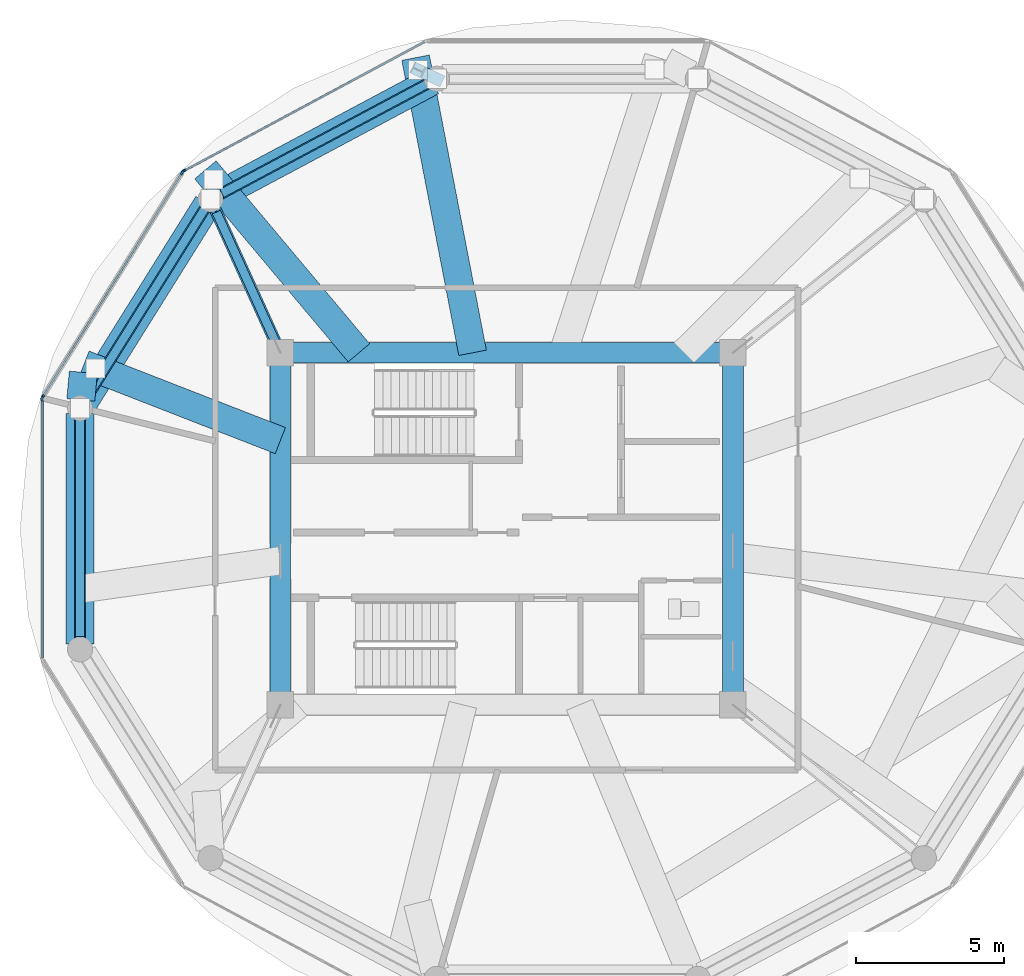
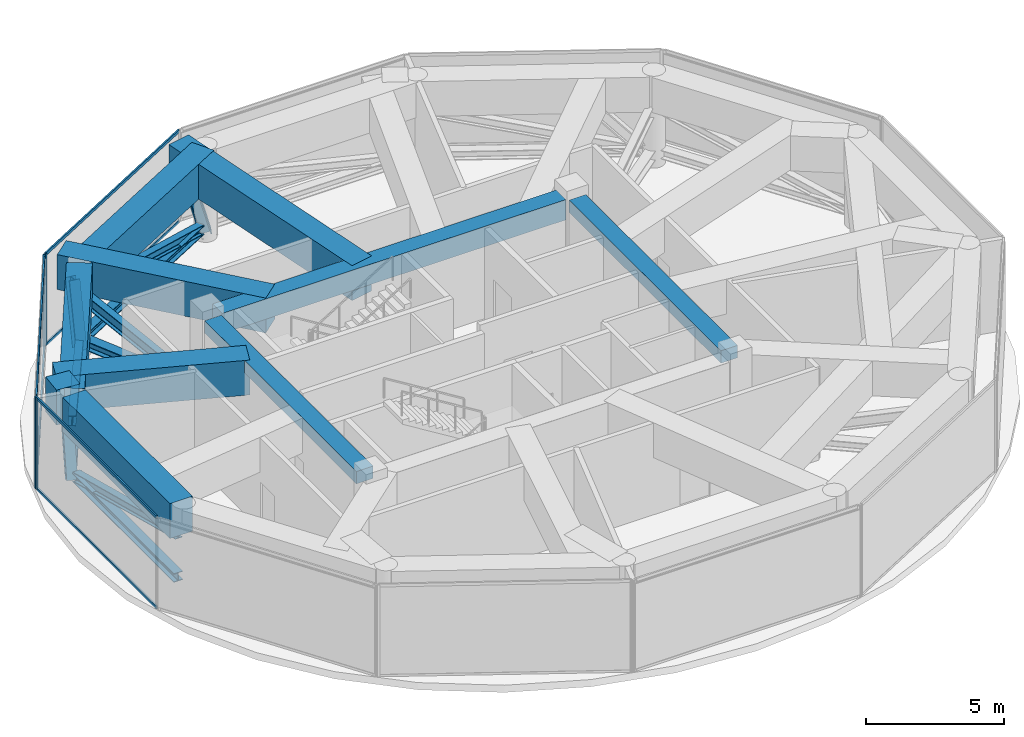
# One storey, part 4 of 23: 21 members, 10 beams, 3 elements without a shape of their own.
"""IFC4 building model written with IfcOpenShell, lengths in metres."""

from ifc_helpers import new_model, si_unit, direction, frame, origin, origin_2d, place, context, subcontext, project, spatial, rectangle, i_section, extrude, source, transform, mapped, material, layer, layer_set, material_profile, profile_set, type_object, type_shapes, element, aggregate, save


model = new_model("IFC4")

# Units and contexts
model_context = context("Model", 3, precision=1e-05, world=origin(), true_north=direction((0.0, 1.0)))
body_context = subcontext(model_context, "Body", "Model", "MODEL_VIEW")
ifc_project = project(units=[si_unit("LENGTHUNIT", "METRE"), si_unit("AREAUNIT", "SQUARE_METRE"), si_unit("VOLUMEUNIT", "CUBIC_METRE"), si_unit("PLANEANGLEUNIT", "RADIAN"), si_unit("MASSUNIT", "GRAM", prefix="KILO")], contexts=[model_context])

# Site, building, storey
site_placement = place(None, origin())
site = spatial("IfcSite", under=ifc_project, at=site_placement, CompositionType="ELEMENT")
building_placement = place(site_placement, origin())
building = spatial("IfcBuilding", under=site, at=building_placement, Name="Norrkilde Senior Care Towers", CompositionType="ELEMENT")
storey_placement = place(building_placement, frame((0.0, 0.0, 129.800048828125)))
storey = spatial("IfcBuildingStorey", under=building, at=storey_placement, Name="L40", CompositionType="ELEMENT", Elevation=129.800048828125)

# Beams
ifc_material_1 = material(Name="Concrete C60/75", Category="concrete")
ifc_material_profile_1 = material_profile(ifc_material_1, rectangle(XDim=0.699951171875, YDim=0.89990234375, at=origin_2d()), Name="RC BM 700x900")
ifc_profile_set_1 = profile_set([ifc_material_profile_1], Name="Concrete C60/75")
beam_type_1 = type_object("IfcBeamType", Name="Core Coupling Girder 700x900", PredefinedType="USERDEFINED", material=ifc_profile_set_1)
shared_shape_1 = source(origin(), body_context, "Body", "SweptSolid", [
    extrude(rectangle(XDim=0.699951171875, YDim=0.89990234375, at=origin_2d()), origin(), (0.0, 0.0, 1.0), 14.43994140625),
])
type_shapes(beam_type_1, [shared_shape_1])
beam_1_placement = place(storey_placement, frame((-35.219970703125, 5.949951171875, 3.6298828125), z_axis=(1.0, 0.0, 0.0), x_axis=(0.0, 1.0, 0.0)))
element("IfcBeam", 1, at=beam_1_placement, inside=storey, type_object=beam_type_1, Name="L40 Core W N Coupling Girder", ObjectType="GIRDER", PredefinedType="USERDEFINED", context=body_context, shape_type="MappedRepresentation", body=[
    mapped(shared_shape_1, transform((0.0, 0.0, 0.0), x_axis=(1.0, 0.0, 0.0), y_axis=(0.0, 1.0, 0.0), z_axis=(0.0, 0.0, 1.0), scale=1.0)),
])
ifc_material_profile_2 = material_profile(ifc_material_1, rectangle(XDim=0.699951171875, YDim=0.550048828125, at=origin_2d()), Name="RC BM 700x550")
ifc_profile_set_2 = profile_set([ifc_material_profile_2], Name="Concrete C60/75")
beam_type_2 = type_object("IfcBeamType", Name="Core Portal Coupling Beam 700x550", PredefinedType="USERDEFINED", material=ifc_profile_set_2)
shared_shape_2 = source(origin(), body_context, "Body", "SweptSolid", [
    extrude(rectangle(XDim=0.699951171875, YDim=0.550048828125, at=origin_2d()), origin(), (0.0, 0.0, 1.0), 11.0400390625),
])
type_shapes(beam_type_2, [shared_shape_2])
for number, where, z_axis, x_axis, name in (
    (2, (-35.64990234375, -5.52001953125, 3.804931640625), (0.0, 1.0, 0.0), (-1.0, 0.0, 0.0), "L40 Core W W Coupling Girder"),
    (3, (-20.35009765625, -5.52001953125, 3.804931640625), (0.0, 1.0, 0.0), (-1.0, 0.0, 0.0), "L40 Core W E Coupling Girder"),
):
    element("IfcBeam", number, at=place(storey_placement, frame(where, z_axis=z_axis, x_axis=x_axis)), inside=storey, type_object=beam_type_2, Name=name, ObjectType="GIRDER", PredefinedType="USERDEFINED", context=body_context, shape_type="MappedRepresentation", body=[
        mapped(shared_shape_2, transform((0.0, 0.0, 0.0), x_axis=(1.0, 0.0, 0.0), y_axis=(0.0, 1.0, 0.0), z_axis=(0.0, 0.0, 1.0), scale=1.0)),
    ])
ifc_material_profile_3 = material_profile(ifc_material_1, rectangle(XDim=0.949951171875, YDim=1.550048828125, at=origin_2d()), Name="RC TG 950x1550")
ifc_profile_set_3 = profile_set([ifc_material_profile_3], Name="Concrete C60/75")
beam_type_3 = type_object("IfcBeamType", Name="Transfer Girder Zone Shift 950x1550", PredefinedType="USERDEFINED", material=ifc_profile_set_3)
shared_shape_3 = source(origin(), body_context, "Body", "SweptSolid", [
    extrude(rectangle(XDim=0.949951171875, YDim=1.550048828125, at=origin_2d()), origin(), (0.0, 0.0, 1.0), 8.302490234375),
])
beam_2_placement = place(storey_placement, frame((-30.521728515625, 15.128662109375, 3.304931640625), z_axis=(-0.882355383182, -0.470583656504, 0.0), x_axis=(0.470583656504, -0.882355383182, 0.0)))
element("IfcBeam", 4, at=beam_2_placement, inside=storey, type_object=beam_type_3, Name="L40 Drum W Zone Ring Transfer Girder 04", ObjectType="GIRDER", PredefinedType="USERDEFINED", context=body_context, shape_type="MappedRepresentation", body=[
    mapped(shared_shape_3, transform((0.0, 0.0, 0.0), x_axis=(1.0, 0.0, 0.0), y_axis=(0.0, 1.0, 0.0), z_axis=(0.0, 0.0, 1.0), scale=1.0)),
])
shared_shape_4 = source(origin(), body_context, "Body", "SweptSolid", [
    extrude(rectangle(XDim=0.949951171875, YDim=1.550048828125, at=origin_2d()), origin(), (0.0, 0.0, 1.0), 7.96630859375),
])
beam_3_placement = place(storey_placement, frame((-38.1015625, 10.984375, 3.304931640625), z_axis=(-0.530004449515, -0.847994860535, 0.0), x_axis=(0.847994860535, -0.530004449515, 0.0)))
element("IfcBeam", 5, at=beam_3_placement, inside=storey, type_object=beam_type_3, Name="L40 Drum W Zone Ring Transfer Girder 05", ObjectType="GIRDER", PredefinedType="USERDEFINED", context=body_context, shape_type="MappedRepresentation", body=[
    mapped(shared_shape_4, transform((0.0, 0.0, 0.0), x_axis=(1.0, 0.0, 0.0), y_axis=(0.0, 1.0, 0.0), z_axis=(0.0, 0.0, 1.0), scale=1.0)),
])
shared_shape_5 = source(origin(), body_context, "Body", "SweptSolid", [
    extrude(rectangle(XDim=0.949951171875, YDim=1.550048828125, at=origin_2d()), origin(), (0.0, 0.0, 1.0), 7.79296875),
])
beam_4_placement = place(storey_placement, frame((-42.4189453125, 3.896484375, 3.304931640625), z_axis=(0.0, -1.0, 0.0), x_axis=(1.0, 0.0, 0.0)))
element("IfcBeam", 6, at=beam_4_placement, inside=storey, type_object=beam_type_3, Name="L40 Drum W Zone Ring Transfer Girder 06", ObjectType="GIRDER", PredefinedType="USERDEFINED", context=body_context, shape_type="MappedRepresentation", body=[
    mapped(shared_shape_5, transform((0.0, 0.0, 0.0), x_axis=(1.0, 0.0, 0.0), y_axis=(0.0, 1.0, 0.0), z_axis=(0.0, 0.0, 1.0), scale=1.0)),
])
shared_shape_6 = source(origin(), body_context, "Body", "SweptSolid", [
    extrude(rectangle(XDim=0.949951171875, YDim=1.550048828125, at=origin_2d()), origin(), (0.0, 0.0, 1.0), 10.160888671875),
])
beam_5_placement = place(storey_placement, frame((-29.149658203125, 5.949951171875, 3.304931640625), z_axis=(-0.189721565302, 0.9818379335, 0.0), x_axis=(-0.9818379335, -0.189721565302, 0.0)))
element("IfcBeam", 7, at=beam_5_placement, inside=storey, type_object=beam_type_3, Name="L40 Drum W Zone Transfer Girder 04", ObjectType="GIRDER", PredefinedType="USERDEFINED", context=body_context, shape_type="MappedRepresentation", body=[
    mapped(shared_shape_6, transform((0.0, 0.0, 0.0), x_axis=(1.0, 0.0, 0.0), y_axis=(0.0, 1.0, 0.0), z_axis=(0.0, 0.0, 1.0), scale=1.0)),
])

# Member
ifc_material_2 = material(Name="Steel S355", Category="steel")
ifc_material_profile_4 = material_profile(ifc_material_2, i_section(OverallWidth=0.412109375, OverallDepth=0.449951171875, WebThickness=0.028076171875, FlangeThickness=0.044921875, FilletRadius=0.014892578125, at=origin_2d()), Name="HD 400x509")
ifc_profile_set_4 = profile_set([ifc_material_profile_4], Name="Steel S355")
member_type_1 = type_object("IfcMemberType", Name="Pratt Bridge Truss Diagonal HD400x509", PredefinedType="BRACE", material=ifc_profile_set_4)
shared_shape_7 = source(origin(), body_context, "Body", "SweptSolid", [
    extrude(i_section(OverallWidth=0.412109375, OverallDepth=0.449951171875, WebThickness=0.028076171875, FlangeThickness=0.044921875, FilletRadius=0.014892578125, at=origin_2d()), origin(), (0.0, 0.0, 1.0), 2.7705078125),
])
member_1_placement = place(storey_placement, frame((-30.36279296875, 15.21337890625, 0.14990234375), z_axis=(-0.22912386978, 0.108393215319, 0.967343353298), x_axis=(-0.427637935321, -0.903950107182, 0.0)))
element("IfcMember", 8, at=member_1_placement, inside=storey, type_object=member_type_1, Name="L40 Drum W Zone Transfer Raking Strut 04", PredefinedType="BRACE", context=body_context, shape_type="MappedRepresentation", body=[
    mapped(shared_shape_7, transform((0.0, 0.0, 0.0), x_axis=(1.0, 0.0, 0.0), y_axis=(0.0, 1.0, 0.0), z_axis=(0.0, 0.0, 1.0), scale=1.0)),
])

# Beam
shared_shape_8 = source(origin(), body_context, "Body", "SweptSolid", [
    extrude(rectangle(XDim=0.949951171875, YDim=1.550048828125, at=origin_2d()), origin(), (0.0, 0.0, 1.0), 8.073486328125),
])
beam_6_placement = place(storey_placement, frame((-32.992919921875, 5.949951171875, 3.304931640625), z_axis=(-0.642804079761, 0.766030622784, 0.0), x_axis=(-0.766030622784, -0.642804079761, 0.0)))
element("IfcBeam", 9, at=beam_6_placement, inside=storey, type_object=beam_type_3, Name="L40 Drum W Zone Transfer Girder 05", ObjectType="GIRDER", PredefinedType="USERDEFINED", context=body_context, shape_type="MappedRepresentation", body=[
    mapped(shared_shape_8, transform((0.0, 0.0, 0.0), x_axis=(1.0, 0.0, 0.0), y_axis=(0.0, 1.0, 0.0), z_axis=(0.0, 0.0, 1.0), scale=1.0)),
])

# Member
shared_shape_9 = source(origin(), body_context, "Body", "SweptSolid", [
    extrude(i_section(OverallWidth=0.412109375, OverallDepth=0.449951171875, WebThickness=0.028076171875, FlangeThickness=0.044921875, FilletRadius=0.014892578125, at=origin_2d()), origin(), (0.0, 0.0, 1.0), 2.765380859375),
])
member_2_placement = place(storey_placement, frame((-38.006103515625, 11.136962890625, 0.14990234375), z_axis=(0.033812734723, 0.244369842593, 0.96909239962), x_axis=(-0.990562578003, 0.137061223763, 0.0)))
element("IfcMember", 10, at=member_2_placement, inside=storey, type_object=member_type_1, Name="L40 Drum W Zone Transfer Raking Strut 05", PredefinedType="BRACE", context=body_context, shape_type="MappedRepresentation", body=[
    mapped(shared_shape_9, transform((0.0, 0.0, 0.0), x_axis=(1.0, 0.0, 0.0), y_axis=(0.0, 1.0, 0.0), z_axis=(0.0, 0.0, 1.0), scale=1.0)),
])

# Beam
shared_shape_10 = source(origin(), body_context, "Body", "SweptSolid", [
    extrude(rectangle(XDim=0.949951171875, YDim=1.550048828125, at=origin_2d()), origin(), (0.0, 0.0, 1.0), 7.12109375),
])
beam_7_placement = place(storey_placement, frame((-35.64990234375, 2.981201171875, 3.304931640625), z_axis=(-0.931736118659, 0.363136069796, 0.0), x_axis=(-0.363136069796, -0.931736118659, 0.0)))
element("IfcBeam", 11, at=beam_7_placement, inside=storey, type_object=beam_type_3, Name="L40 Drum W Zone Transfer Girder 06", ObjectType="GIRDER", PredefinedType="USERDEFINED", context=body_context, shape_type="MappedRepresentation", body=[
    mapped(shared_shape_10, transform((0.0, 0.0, 0.0), x_axis=(1.0, 0.0, 0.0), y_axis=(0.0, 1.0, 0.0), z_axis=(0.0, 0.0, 1.0), scale=1.0)),
])

# Member
shared_shape_11 = source(origin(), body_context, "Body", "SweptSolid", [
    extrude(i_section(OverallWidth=0.412109375, OverallDepth=0.449951171875, WebThickness=0.028076171875, FlangeThickness=0.044921875, FilletRadius=0.014892578125, at=origin_2d()), origin(), (0.0, 0.0, 1.0), 3.041259765625),
])
type_shapes(member_type_1, [shared_shape_7, shared_shape_9, shared_shape_11])
member_3_placement = place(storey_placement, frame((-42.4189453125, 4.076416015625, 0.14990234375), z_axis=(0.172759760621, 0.44000755017, 0.881219280828), x_axis=(-0.930823722268, 0.365468463842, 0.0)))
element("IfcMember", 12, at=member_3_placement, inside=storey, type_object=member_type_1, Name="L40 Drum W Zone Transfer Raking Strut 06", PredefinedType="BRACE", context=body_context, shape_type="MappedRepresentation", body=[
    mapped(shared_shape_11, transform((0.0, 0.0, 0.0), x_axis=(1.0, 0.0, 0.0), y_axis=(0.0, 1.0, 0.0), z_axis=(0.0, 0.0, 1.0), scale=1.0)),
])

# Beam
shared_shape_12 = source(origin(), body_context, "Body", "SweptSolid", [
    extrude(rectangle(XDim=0.949951171875, YDim=1.550048828125, at=origin_2d()), origin(), (0.0, 0.0, 1.0), 0.9365234375),
])
type_shapes(beam_type_3, [shared_shape_3, shared_shape_4, shared_shape_5, shared_shape_6, shared_shape_8, shared_shape_10, shared_shape_12])
beam_8_placement = place(storey_placement, frame((-42.31005859375, 5.2880859375, 3.304931640625), z_axis=(-0.089666141392, -0.995971878663, 0.0), x_axis=(0.995971878663, -0.089666141392, 0.0)))
element("IfcBeam", 13, at=beam_8_placement, inside=storey, type_object=beam_type_3, Name="L40 Drum W Zone Star Transfer Tie 06", ObjectType="GIRDER", PredefinedType="USERDEFINED", context=body_context, shape_type="MappedRepresentation", body=[
    mapped(shared_shape_12, transform((0.0, 0.0, 0.0), x_axis=(1.0, 0.0, 0.0), y_axis=(0.0, 1.0, 0.0), z_axis=(0.0, 0.0, 1.0), scale=1.0)),
])

# Members
ifc_material_profile_5 = material_profile(ifc_material_2, i_section(OverallWidth=0.300048828125, OverallDepth=0.39990234375, WebThickness=0.013427734375, FlangeThickness=0.02392578125, FilletRadius=0.027099609375, at=origin_2d()), Name="HEB 400")
ifc_profile_set_5 = profile_set([ifc_material_profile_5], Name="Steel S355")
member_type_2 = type_object("IfcMemberType", Name="Belt Truss Diagonal HEB400", PredefinedType="BRACE", material=ifc_profile_set_5)
shared_shape_13 = source(origin(), body_context, "Body", "SweptSolid", [
    extrude(i_section(OverallWidth=0.300048828125, OverallDepth=0.39990234375, WebThickness=0.013427734375, FlangeThickness=0.02392578125, FilletRadius=0.027099609375, at=origin_2d()), origin(), (0.0, 0.0, 1.0), 7.798828125),
])
member_4_placement = place(storey_placement, frame((-38.210205078125, 10.810546875, 0.550048828125), z_axis=(-0.513520239082, -0.821619860701, 0.247462660933), x_axis=(0.847994673706, -0.530004748437, 0.0)))
element("IfcMember", 14, at=member_4_placement, inside=storey, type_object=member_type_2, Name="L40 Drum W Belt Truss Diagonal 05", PredefinedType="BRACE", context=body_context, shape_type="MappedRepresentation", body=[
    mapped(shared_shape_13, transform((0.0, 0.0, 0.0), x_axis=(1.0, 0.0, 0.0), y_axis=(0.0, 1.0, 0.0), z_axis=(0.0, 0.0, 1.0), scale=1.0)),
])
ifc_material_profile_6 = material_profile(ifc_material_2, i_section(OverallWidth=0.3740234375, OverallDepth=0.386962890625, WebThickness=0.01611328125, FlangeThickness=0.027099609375, FilletRadius=0.014892578125, at=origin_2d()), Name="HD 360x262")
ifc_profile_set_6 = profile_set([ifc_material_profile_6], Name="Steel S355")
member_type_3 = type_object("IfcMemberType", Name="Belt Truss Ring Chord HD360x262", PredefinedType="CHORD", material=ifc_profile_set_6)
shared_shape_14 = source(origin(), body_context, "Body", "SweptSolid", [
    extrude(i_section(OverallWidth=0.3740234375, OverallDepth=0.386962890625, WebThickness=0.01611328125, FlangeThickness=0.027099609375, FilletRadius=0.014892578125, at=origin_2d()), origin(), (0.0, 0.0, 1.0), 7.892333984375),
])
member_5_placement = place(storey_placement, frame((-30.70263671875, 15.0322265625, 0.550048828125), z_axis=(-0.882350372282, -0.47059305194, 0.0), x_axis=(0.47059305194, -0.882350372282, 0.0)))
element("IfcMember", 15, at=member_5_placement, inside=storey, type_object=member_type_3, Name="L40 Drum W Belt Truss Bottom Chord 04", PredefinedType="CHORD", context=body_context, shape_type="MappedRepresentation", body=[
    mapped(shared_shape_14, transform((0.0, 0.0, 0.0), x_axis=(1.0, 0.0, 0.0), y_axis=(0.0, 1.0, 0.0), z_axis=(0.0, 0.0, 1.0), scale=1.0)),
])
shared_shape_15 = source(origin(), body_context, "Body", "SweptSolid", [
    extrude(i_section(OverallWidth=0.300048828125, OverallDepth=0.39990234375, WebThickness=0.013427734375, FlangeThickness=0.02392578125, FilletRadius=0.027099609375, at=origin_2d()), origin(), (0.0, 0.0, 1.0), 8.125),
])
member_6_placement = place(storey_placement, frame((-30.70263671875, 15.0322265625, 0.550048828125), z_axis=(-0.85709731652, -0.457124578468, 0.237531702675), x_axis=(0.47059305194, -0.882350372282, 0.0)))
element("IfcMember", 16, at=member_6_placement, inside=storey, type_object=member_type_2, Name="L40 Drum W Belt Truss Diagonal 04", PredefinedType="BRACE", context=body_context, shape_type="MappedRepresentation", body=[
    mapped(shared_shape_15, transform((0.0, 0.0, 0.0), x_axis=(1.0, 0.0, 0.0), y_axis=(0.0, 1.0, 0.0), z_axis=(0.0, 0.0, 1.0), scale=1.0)),
])
shared_shape_16 = source(origin(), body_context, "Body", "SweptSolid", [
    extrude(i_section(OverallWidth=0.3740234375, OverallDepth=0.386962890625, WebThickness=0.01611328125, FlangeThickness=0.027099609375, FilletRadius=0.014892578125, at=origin_2d()), origin(), (0.0, 0.0, 1.0), 7.556396484375),
])
member_7_placement = place(storey_placement, frame((-38.210205078125, 10.810546875, 0.550048828125), z_axis=(-0.530004748437, -0.847994673706, 0.0), x_axis=(0.847994673706, -0.530004748437, 0.0)))
element("IfcMember", 17, at=member_7_placement, inside=storey, type_object=member_type_3, Name="L40 Drum W Belt Truss Bottom Chord 05", PredefinedType="CHORD", context=body_context, shape_type="MappedRepresentation", body=[
    mapped(shared_shape_16, transform((0.0, 0.0, 0.0), x_axis=(1.0, 0.0, 0.0), y_axis=(0.0, 1.0, 0.0), z_axis=(0.0, 0.0, 1.0), scale=1.0)),
])
shared_shape_17 = source(origin(), body_context, "Body", "SweptSolid", [
    extrude(i_section(OverallWidth=0.3740234375, OverallDepth=0.386962890625, WebThickness=0.01611328125, FlangeThickness=0.027099609375, FilletRadius=0.014892578125, at=origin_2d()), origin(), (0.0, 0.0, 1.0), 7.3828125),
])
type_shapes(member_type_3, [shared_shape_14, shared_shape_16, shared_shape_17])
member_8_placement = place(storey_placement, frame((-42.4189453125, 3.69140625, 0.550048828125), z_axis=(0.0, -1.0, 0.0), x_axis=(1.0, 0.0, 0.0)))
element("IfcMember", 18, at=member_8_placement, inside=storey, type_object=member_type_3, Name="L40 Drum W Belt Truss Bottom Chord 06", PredefinedType="CHORD", context=body_context, shape_type="MappedRepresentation", body=[
    mapped(shared_shape_17, transform((0.0, 0.0, 0.0), x_axis=(1.0, 0.0, 0.0), y_axis=(0.0, 1.0, 0.0), z_axis=(0.0, 0.0, 1.0), scale=1.0)),
])
shared_shape_18 = source(origin(), body_context, "Body", "SweptSolid", [
    extrude(i_section(OverallWidth=0.300048828125, OverallDepth=0.39990234375, WebThickness=0.013427734375, FlangeThickness=0.02392578125, FilletRadius=0.027099609375, at=origin_2d()), origin(), (0.0, 0.0, 1.0), 7.630859375),
])
type_shapes(member_type_2, [shared_shape_13, shared_shape_15, shared_shape_18])
member_9_placement = place(storey_placement, frame((-42.4189453125, 3.69140625, 0.550048828125), z_axis=(0.0, -0.967489740565, 0.252910264523), x_axis=(1.0, 0.0, 0.0)))
element("IfcMember", 19, at=member_9_placement, inside=storey, type_object=member_type_2, Name="L40 Drum W Belt Truss Diagonal 06", PredefinedType="BRACE", context=body_context, shape_type="MappedRepresentation", body=[
    mapped(shared_shape_18, transform((0.0, 0.0, 0.0), x_axis=(1.0, 0.0, 0.0), y_axis=(0.0, 1.0, 0.0), z_axis=(0.0, 0.0, 1.0), scale=1.0)),
])
ifc_material_profile_7 = material_profile(ifc_material_2, i_section(OverallWidth=0.402099609375, OverallDepth=0.419921875, WebThickness=0.02001953125, FlangeThickness=0.032958984375, FilletRadius=0.014892578125, at=origin_2d()), Name="HD 400x347")
ifc_profile_set_7 = profile_set([ifc_material_profile_7], Name="Steel S355")
member_type_4 = type_object("IfcMemberType", Name="Outrigger Truss Chord HD400x347", PredefinedType="CHORD", material=ifc_profile_set_7)
shared_shape_19 = source(origin(), body_context, "Body", "SweptSolid", [
    extrude(i_section(OverallWidth=0.402099609375, OverallDepth=0.419921875, WebThickness=0.02001953125, FlangeThickness=0.032958984375, FilletRadius=0.014892578125, at=origin_2d()), origin(), (0.0, 0.0, 1.0), 4.902099609375),
])
type_shapes(member_type_4, [shared_shape_19])
member_10_placement = place(storey_placement, frame((-35.819580078125, 6.3232421875, 0.550048828125), z_axis=(-0.413574036598, 0.910470491697, 0.0), x_axis=(-0.910470491697, -0.413574036598, 0.0)))
element("IfcMember", 20, at=member_10_placement, inside=storey, type_object=member_type_4, Name="L40 Drum W Outrigger Chord 4", PredefinedType="CHORD", context=body_context, shape_type="MappedRepresentation", body=[
    mapped(shared_shape_19, transform((0.0, 0.0, 0.0), x_axis=(1.0, 0.0, 0.0), y_axis=(0.0, 1.0, 0.0), z_axis=(0.0, 0.0, 1.0), scale=1.0)),
])
ifc_material_profile_8 = material_profile(ifc_material_2, i_section(OverallWidth=0.300048828125, OverallDepth=0.5, WebThickness=0.014404296875, FlangeThickness=0.028076171875, FilletRadius=0.027099609375, at=origin_2d()), Name="HEB 500")
ifc_profile_set_8 = profile_set([ifc_material_profile_8], Name="Steel S355")
member_type_5 = type_object("IfcMemberType", Name="Outrigger Truss Diagonal HEB500", PredefinedType="BRACE", material=ifc_profile_set_8)
shared_shape_20 = source(origin(), body_context, "Body", "SweptSolid", [
    extrude(i_section(OverallWidth=0.300048828125, OverallDepth=0.5, WebThickness=0.014404296875, FlangeThickness=0.028076171875, FilletRadius=0.027099609375, at=origin_2d()), origin(), (0.0, 0.0, 1.0), 5.268310546875),
])
type_shapes(member_type_5, [shared_shape_20])
member_11_placement = place(storey_placement, frame((-35.819580078125, 6.3232421875, 0.550048828125), z_axis=(-0.384823878835, 0.847177905707, 0.36633342512), x_axis=(-0.910470491697, -0.413574036598, 0.0)))
element("IfcMember", 21, at=member_11_placement, inside=storey, type_object=member_type_5, Name="L40 Drum W Outrigger Diagonal 4", PredefinedType="BRACE", context=body_context, shape_type="MappedRepresentation", body=[
    mapped(shared_shape_20, transform((0.0, 0.0, 0.0), x_axis=(1.0, 0.0, 0.0), y_axis=(0.0, 1.0, 0.0), z_axis=(0.0, 0.0, 1.0), scale=1.0)),
])

# Curtain wall, member
ifc_material_3 = material(Name="Triple Low-E Insulated Glazing", Category="glass")
ifc_layer = layer(ifc_material_3, 0.18505859375)
ifc_layer_set = layer_set([ifc_layer], Name="Triple Low-E Insulated Glazing")
curtain_wall_type = type_object("IfcCurtainWallType", Name="CW6 Zone 4 Crown Pavilion Curtain Wall", PredefinedType="NOTDEFINED", material=ifc_layer_set)
curtain_wall_1_placement = place(storey_placement, origin())
curtain_wall_1 = element("IfcCurtainWall", 22, at=curtain_wall_1_placement, inside=storey, type_object=curtain_wall_type, Name="L40 Drum W Curtain Wall 03", PredefinedType="NOTDEFINED")
ifc_material_4 = material(Name="Anodised Aluminium", Category="aluminium")
ifc_material_profile_9 = material_profile(ifc_material_4, rectangle(XDim=0.070068359375, YDim=0.169921875, at=origin_2d()), Name="ALU MULL 70x170")
ifc_profile_set_9 = profile_set([ifc_material_profile_9], Name="Anodised Aluminium")
member_type_6 = type_object("IfcMemberType", Name="Curtain Wall Mullion Heavy 70x170", PredefinedType="MULLION", material=ifc_profile_set_9)
shared_shape_21 = source(origin(), body_context, "Body", "SweptSolid", [
    extrude(rectangle(XDim=0.070068359375, YDim=0.169921875, at=origin_2d()), origin(), (0.0, 0.0, 1.0), 4.079833984375),
])
type_shapes(member_type_6, [shared_shape_21])
member_12_placement = place(storey_placement, frame((-38.915771484375, 12.093994140625, 0.0), z_axis=(0.0, 0.0, 1.0), x_axis=(-0.472769402511, 0.881186184668, 0.0)))
member_12 = element("IfcMember", 23, at=member_12_placement, type_object=member_type_6, Name="CW-6 mullion 1", PredefinedType="MULLION", context=body_context, shape_type="MappedRepresentation", body=[
    mapped(shared_shape_21, transform((0.0, 0.0, 0.0), x_axis=(1.0, 0.0, 0.0), y_axis=(0.0, 1.0, 0.0), z_axis=(0.0, 0.0, 1.0), scale=1.0)),
])

# Curtain wall, members
curtain_wall_2_placement = place(storey_placement, origin())
curtain_wall_2 = element("IfcCurtainWall", 24, at=curtain_wall_2_placement, inside=storey, type_object=curtain_wall_type, Name="L40 Drum W Curtain Wall 04", PredefinedType="NOTDEFINED")
member_13_placement = place(storey_placement, frame((-43.685302734375, 4.450439453125, 0.0), z_axis=(0.0, 0.0, 1.0), x_axis=(-0.849410171862, 0.527733228002, 0.0)))
member_13 = element("IfcMember", 25, at=member_13_placement, type_object=member_type_6, Name="CW-6 mullion 1", PredefinedType="MULLION", context=body_context, shape_type="MappedRepresentation", body=[
    mapped(shared_shape_21, transform((0.0, 0.0, 0.0), x_axis=(1.0, 0.0, 0.0), y_axis=(0.0, 1.0, 0.0), z_axis=(0.0, 0.0, 1.0), scale=1.0)),
])
member_14_placement = place(storey_placement, frame((-38.965087890625, 12.047607421875, 0.0), z_axis=(0.0, 0.0, 1.0), x_axis=(-0.849410171862, 0.527733228002, 0.0)))
member_14 = element("IfcMember", 26, at=member_14_placement, type_object=member_type_6, Name="CW-6 mullion 2", PredefinedType="MULLION", context=body_context, shape_type="MappedRepresentation", body=[
    mapped(shared_shape_21, transform((0.0, 0.0, 0.0), x_axis=(1.0, 0.0, 0.0), y_axis=(0.0, 1.0, 0.0), z_axis=(0.0, 0.0, 1.0), scale=1.0)),
])

# Curtain wall, member
curtain_wall_3_placement = place(storey_placement, origin())
curtain_wall_3 = element("IfcCurtainWall", 27, at=curtain_wall_3_placement, inside=storey, type_object=curtain_wall_type, Name="L40 Drum W Curtain Wall 05", PredefinedType="NOTDEFINED")
member_15_placement = place(storey_placement, frame((-43.70361328125, 4.3857421875, 0.0), z_axis=(0.0, 0.0, 1.0), x_axis=(-1.0, 0.0, 0.0)))
member_15 = element("IfcMember", 28, at=member_15_placement, type_object=member_type_6, Name="CW-6 mullion 2", PredefinedType="MULLION", context=body_context, shape_type="MappedRepresentation", body=[
    mapped(shared_shape_21, transform((0.0, 0.0, 0.0), x_axis=(1.0, 0.0, 0.0), y_axis=(0.0, 1.0, 0.0), z_axis=(0.0, 0.0, 1.0), scale=1.0)),
])

# Member
ifc_material_profile_10 = material_profile(ifc_material_4, rectangle(XDim=0.06494140625, YDim=0.1298828125, at=origin_2d()), Name="ALU TRAN 65x130")
ifc_profile_set_10 = profile_set([ifc_material_profile_10], Name="Anodised Aluminium")
member_type_7 = type_object("IfcMemberType", Name="Curtain Wall Transom Heavy 65x130", PredefinedType="USERDEFINED", material=ifc_profile_set_10)
shared_shape_22 = source(origin(), body_context, "Body", "SweptSolid", [
    extrude(rectangle(XDim=0.06494140625, YDim=0.1298828125, at=origin_2d()), origin(), (0.0, 0.0, 1.0), 8.874267578125),
])
member_16_placement = place(storey_placement, frame((-43.666748046875, 4.47998046875, 0.032470703125), z_axis=(0.527724406415, 0.849415652595, 0.0), x_axis=(-0.849415652595, 0.527724406415, 0.0)))
member_16 = element("IfcMember", 29, at=member_16_placement, type_object=member_type_7, Name="CW-6 transom 1.1", ObjectType="TRANSOM", PredefinedType="USERDEFINED", context=body_context, shape_type="MappedRepresentation", body=[
    mapped(shared_shape_22, transform((0.0, 0.0, 0.0), x_axis=(1.0, 0.0, 0.0), y_axis=(0.0, 1.0, 0.0), z_axis=(0.0, 0.0, 1.0), scale=1.0)),
])

member_17_placement = place(storey_placement, frame((-43.666748046875, 4.47998046875, 4.04736328125), z_axis=(0.527724406415, 0.849415652595, 0.0), x_axis=(-0.849415652595, 0.527724406415, 0.0)))
member_17 = element("IfcMember", 30, at=member_17_placement, type_object=member_type_7, Name="CW-6 transom 1.2", ObjectType="TRANSOM", PredefinedType="USERDEFINED", context=body_context, shape_type="MappedRepresentation", body=[
    mapped(shared_shape_22, transform((0.0, 0.0, 0.0), x_axis=(1.0, 0.0, 0.0), y_axis=(0.0, 1.0, 0.0), z_axis=(0.0, 0.0, 1.0), scale=1.0)),
])

aggregate(curtain_wall_2, [member_13, member_14, member_16, member_17])

shared_shape_23 = source(origin(), body_context, "Body", "SweptSolid", [
    extrude(rectangle(XDim=0.06494140625, YDim=0.1298828125, at=origin_2d()), origin(), (0.0, 0.0, 1.0), 9.21044921875),
])
member_18_placement = place(storey_placement, frame((-38.885009765625, 12.110595703125, 0.032470703125), z_axis=(0.881196089669, 0.472750940297, 0.0), x_axis=(-0.472750940297, 0.881196089669, 0.0)))
member_18 = element("IfcMember", 31, at=member_18_placement, type_object=member_type_7, Name="CW-6 transom 1.1", ObjectType="TRANSOM", PredefinedType="USERDEFINED", context=body_context, shape_type="MappedRepresentation", body=[
    mapped(shared_shape_23, transform((0.0, 0.0, 0.0), x_axis=(1.0, 0.0, 0.0), y_axis=(0.0, 1.0, 0.0), z_axis=(0.0, 0.0, 1.0), scale=1.0)),
])

member_19_placement = place(storey_placement, frame((-38.885009765625, 12.110595703125, 4.04736328125), z_axis=(0.881196089669, 0.472750940297, 0.0), x_axis=(-0.472750940297, 0.881196089669, 0.0)))
member_19 = element("IfcMember", 32, at=member_19_placement, type_object=member_type_7, Name="CW-6 transom 1.2", ObjectType="TRANSOM", PredefinedType="USERDEFINED", context=body_context, shape_type="MappedRepresentation", body=[
    mapped(shared_shape_23, transform((0.0, 0.0, 0.0), x_axis=(1.0, 0.0, 0.0), y_axis=(0.0, 1.0, 0.0), z_axis=(0.0, 0.0, 1.0), scale=1.0)),
])

aggregate(curtain_wall_1, [member_12, member_18, member_19])

shared_shape_24 = source(origin(), body_context, "Body", "SweptSolid", [
    extrude(rectangle(XDim=0.06494140625, YDim=0.1298828125, at=origin_2d()), origin(), (0.0, 0.0, 1.0), 8.701171875),
])
type_shapes(member_type_7, [shared_shape_22, shared_shape_23, shared_shape_24])
member_20_placement = place(storey_placement, frame((-43.70361328125, -4.3505859375, 0.032470703125), z_axis=(0.0, 1.0, 0.0), x_axis=(-1.0, 0.0, 0.0)))
member_20 = element("IfcMember", 33, at=member_20_placement, type_object=member_type_7, Name="CW-6 transom 1.1", ObjectType="TRANSOM", PredefinedType="USERDEFINED", context=body_context, shape_type="MappedRepresentation", body=[
    mapped(shared_shape_24, transform((0.0, 0.0, 0.0), x_axis=(1.0, 0.0, 0.0), y_axis=(0.0, 1.0, 0.0), z_axis=(0.0, 0.0, 1.0), scale=1.0)),
])

member_21_placement = place(storey_placement, frame((-43.70361328125, -4.3505859375, 4.04736328125), z_axis=(0.0, 1.0, 0.0), x_axis=(-1.0, 0.0, 0.0)))
member_21 = element("IfcMember", 34, at=member_21_placement, type_object=member_type_7, Name="CW-6 transom 1.2", ObjectType="TRANSOM", PredefinedType="USERDEFINED", context=body_context, shape_type="MappedRepresentation", body=[
    mapped(shared_shape_24, transform((0.0, 0.0, 0.0), x_axis=(1.0, 0.0, 0.0), y_axis=(0.0, 1.0, 0.0), z_axis=(0.0, 0.0, 1.0), scale=1.0)),
])

aggregate(curtain_wall_3, [member_15, member_20, member_21])

save(model, "model.ifc")
